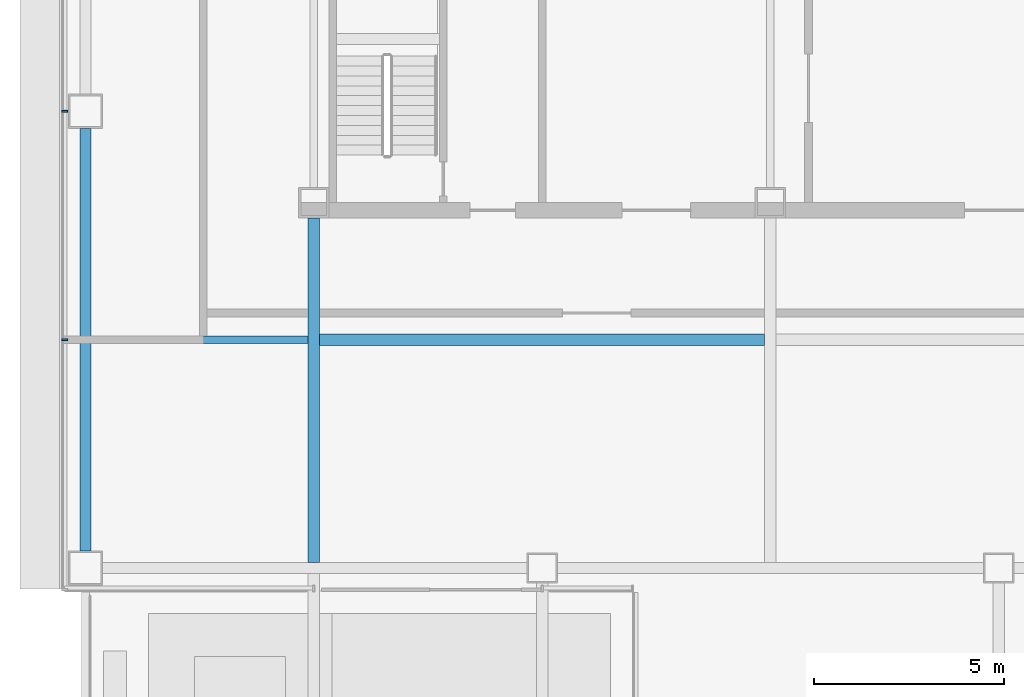
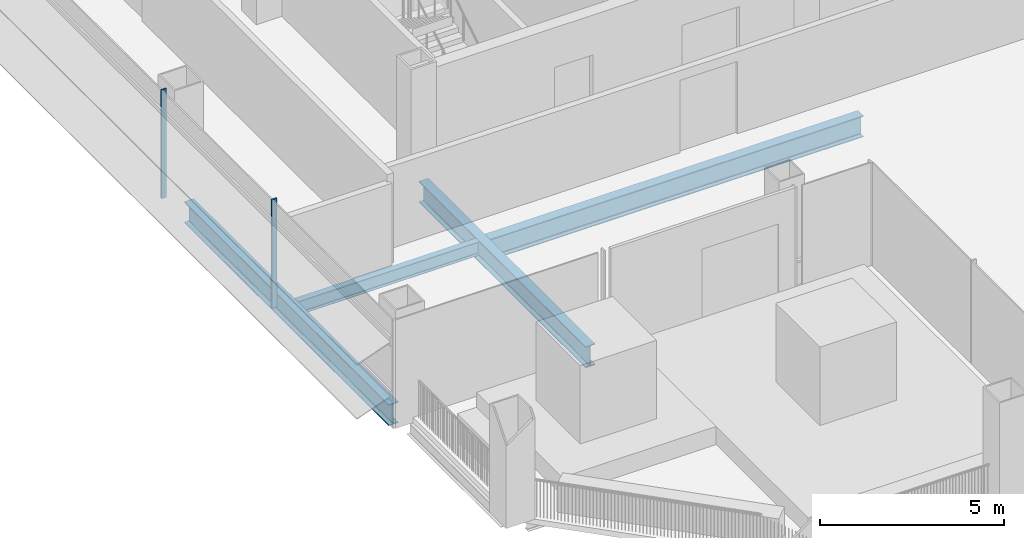
# One storey, part 4 of 28: 4 beams, 2 members, 1 element without a shape of its own.
"""IFC4 building model written with IfcOpenShell, lengths in metres."""

from ifc_helpers import new_model, si_unit, direction, frame, origin, origin_2d, place, context, subcontext, project, spatial, rectangle, i_section, extrude, material, material_profile, profile_set, type_object, element, aggregate, save


model = new_model("IFC4")

# Units and contexts
model_context = context("Model", 3, precision=1e-05, world=origin(), true_north=direction((0.0, 1.0)))
body_context = subcontext(model_context, "Body", "Model", "MODEL_VIEW")
ifc_project = project(units=[si_unit("LENGTHUNIT", "METRE"), si_unit("AREAUNIT", "SQUARE_METRE"), si_unit("VOLUMEUNIT", "CUBIC_METRE"), si_unit("PLANEANGLEUNIT", "RADIAN"), si_unit("MASSUNIT", "GRAM", prefix="KILO")], contexts=[model_context])

# Site, building, storey
site_placement = place(None, origin())
site = spatial("IfcSite", under=ifc_project, at=site_placement, CompositionType="ELEMENT")
building_placement = place(site_placement, origin())
building = spatial("IfcBuilding", under=site, at=building_placement, Name="Sorahane Residences", CompositionType="ELEMENT")
storey_placement = place(building_placement, frame((0.0, 0.0, 60.60009765625)))
storey = spatial("IfcBuildingStorey", under=building, at=storey_placement, Name="L11", CompositionType="ELEMENT", Elevation=60.60009765625)

# Curtain wall, members
ifc_material_1 = material(Name="Dark low-e glass and black anodised aluminium", Category="aluminium")
curtain_wall_type = type_object("IfcCurtainWallType", Name="Curtain wall CW-1 Typical unitised wall", PredefinedType="NOTDEFINED", material=ifc_material_1)
curtain_wall_placement = place(storey_placement, origin())
curtain_wall = element("IfcCurtainWall", 1, at=curtain_wall_placement, inside=storey, type_object=curtain_wall_type, Name="CW-1 curtain wall L11 W1", PredefinedType="NOTDEFINED")
ifc_material_2 = material(Name="Black anodised aluminium", Category="aluminium")
ifc_material_profile_1 = material_profile(ifc_material_2, rectangle(XDim=0.159912109375, YDim=0.050048828125, at=origin_2d()), Name="Curtain wall mullion CW-1 black anodised aluminium 50x160")
ifc_profile_set_1 = profile_set([ifc_material_profile_1], Name="Black anodised aluminium")
member_type = type_object("IfcMemberType", Name="Curtain wall mullion CW-1 black anodised aluminium 50x160", PredefinedType="MULLION", material=ifc_profile_set_1)
member_1_placement = place(storey_placement, frame((-0.5400390625, 24.0, -0.18017578125), z_axis=(0.0, 0.0, 1.0), x_axis=(-1.0, 0.0, 0.0)))
member_1 = element("IfcMember", 2, at=member_1_placement, type_object=member_type, Name="CW-1 mullion L11 W1.4", PredefinedType="MULLION", context=body_context, shape_type="SweptSolid", body=[
    extrude(rectangle(XDim=0.159912109375, YDim=0.050048828125, at=origin_2d()), origin(), (0.0, 0.0, 1.0), 3.60009765625),
])
member_2_placement = place(storey_placement, frame((-0.5400390625, 18.0, -0.18017578125), z_axis=(0.0, 0.0, 1.0), x_axis=(-1.0, 0.0, 0.0)))
member_2 = element("IfcMember", 3, at=member_2_placement, type_object=member_type, Name="CW-1 mullion L11 W1.5", PredefinedType="MULLION", context=body_context, shape_type="SweptSolid", body=[
    extrude(rectangle(XDim=0.159912109375, YDim=0.050048828125, at=origin_2d()), origin(), (0.0, 0.0, 1.0), 3.60009765625),
])
aggregate(curtain_wall, [member_1, member_2])

# Beams
ifc_material_3 = material(Name="Steel Q355B", Category="steel")
ifc_material_profile_2 = material_profile(ifc_material_3, i_section(OverallWidth=0.199951171875, OverallDepth=0.449951171875, WebThickness=0.009033203125, FlangeThickness=0.013916015625, FilletRadius=0.02001953125, at=origin_2d()), Name="HN 450x200x9x14")
ifc_profile_set_2 = profile_set([ifc_material_profile_2], Name="Steel Q355B")
beam_type_1 = type_object("IfcBeamType", Name="Steel floor beam HN 450x200x9x14 Q355B", PredefinedType="BEAM", material=ifc_profile_set_2)
beam_1_placement = place(storey_placement, frame((0.14990234375, 18.0, -0.405029296875), z_axis=(1.0, 0.0, 0.0), x_axis=(0.0, 1.0, 0.0)))
element("IfcBeam", 4, at=beam_1_placement, inside=storey, type_object=beam_type_1, Name="Beam L11 068", PredefinedType="BEAM", context=body_context, shape_type="SweptSolid", body=[
    extrude(i_section(OverallWidth=0.199951171875, OverallDepth=0.449951171875, WebThickness=0.009033203125, FlangeThickness=0.013916015625, FilletRadius=0.02001953125, at=origin_2d()), origin(), (0.0, 0.0, 1.0), 5.7001953125),
])
ifc_material_4 = material(Name="Steel Q355B", Category="steel")
ifc_material_profile_3 = material_profile(ifc_material_4, i_section(OverallWidth=0.300048828125, OverallDepth=0.699951171875, WebThickness=0.012939453125, FlangeThickness=0.02392578125, FilletRadius=0.028076171875, at=origin_2d()), Name="HN 700x300x13x24")
ifc_profile_set_3 = profile_set([ifc_material_profile_3], Name="Steel Q355B")
beam_type_2 = type_object("IfcBeamType", Name="Steel floor beam HN 700x300x13x24 Q355B", PredefinedType="BEAM", material=ifc_profile_set_3)
beam_2_placement = place(storey_placement, frame((0.0, 12.449951171875, -0.530029296875), z_axis=(0.0, 1.0, 0.0), x_axis=(-1.0, 0.0, 0.0)))
element("IfcBeam", 5, at=beam_2_placement, inside=storey, type_object=beam_type_2, Name="Beam L11 018", PredefinedType="BEAM", context=body_context, shape_type="SweptSolid", body=[
    extrude(i_section(OverallWidth=0.300048828125, OverallDepth=0.699951171875, WebThickness=0.012939453125, FlangeThickness=0.02392578125, FilletRadius=0.028076171875, at=origin_2d()), origin(), (0.0, 0.0, 1.0), 11.10009765625),
])
beam_3_placement = place(storey_placement, frame((6.0, 12.14990234375, -0.530029296875), z_axis=(0.0, 1.0, 0.0), x_axis=(-1.0, 0.0, 0.0)))
element("IfcBeam", 6, at=beam_3_placement, inside=storey, type_object=beam_type_2, Name="Beam L11 022", PredefinedType="BEAM", context=body_context, shape_type="SweptSolid", body=[
    extrude(i_section(OverallWidth=0.300048828125, OverallDepth=0.699951171875, WebThickness=0.012939453125, FlangeThickness=0.02392578125, FilletRadius=0.028076171875, at=origin_2d()), origin(), (0.0, 0.0, 1.0), 9.050048828125),
])
beam_4_placement = place(storey_placement, frame((6.14990234375, 18.0, -0.530029296875), z_axis=(1.0, 0.0, 0.0), x_axis=(0.0, 1.0, 0.0)))
element("IfcBeam", 7, at=beam_4_placement, inside=storey, type_object=beam_type_2, Name="Beam L11 069", PredefinedType="BEAM", context=body_context, shape_type="SweptSolid", body=[
    extrude(i_section(OverallWidth=0.300048828125, OverallDepth=0.699951171875, WebThickness=0.012939453125, FlangeThickness=0.02392578125, FilletRadius=0.028076171875, at=origin_2d()), origin(), (0.0, 0.0, 1.0), 11.7001953125),
])

save(model, "model.ifc")
